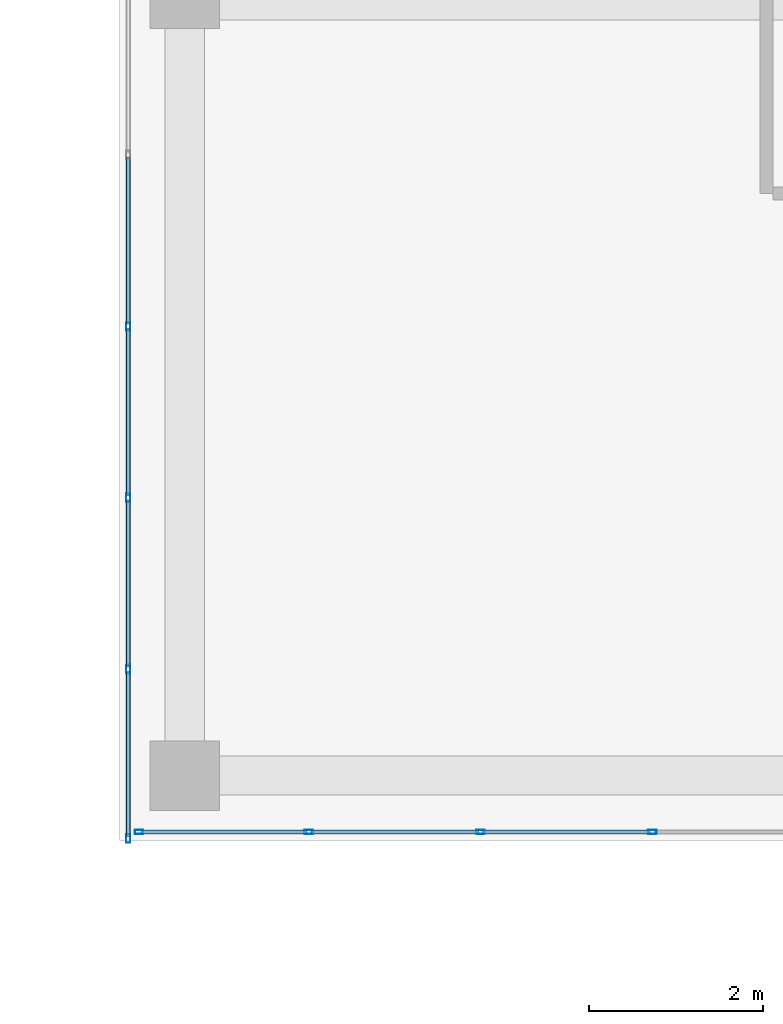
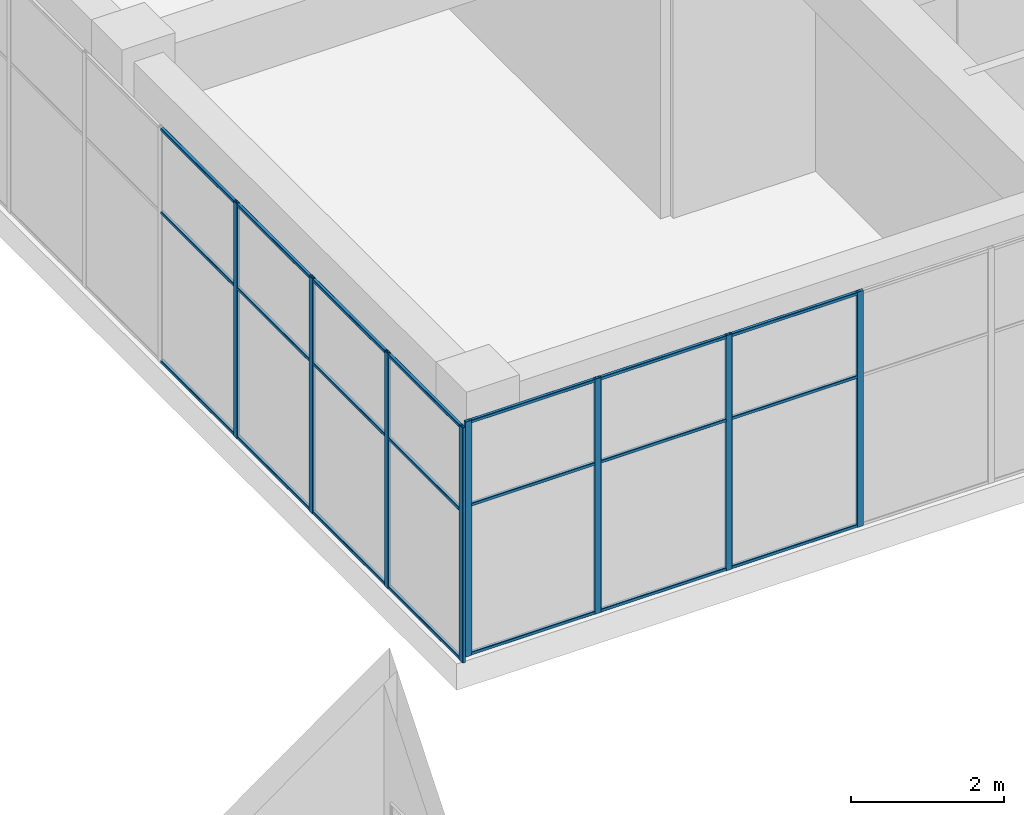
# One storey, part 32 of 81: 29 members, 2 elements without a shape of their own.
"""IFC4 building model written with IfcOpenShell, lengths in metres."""

import ifcopenshell
import ifcopenshell.guid

model = None  # the IFC model being written
_history = None  # IfcOwnerHistory: only IFC2X3 demands one
_inside = {}  # id of a spatial element -> (the spatial element, [elements in it])
_under = {}  # id of a project, library or spatial element -> (it, [spatial elements below it])
_declared = {}  # id of a project -> (the project, [libraries it declares])
_typed = {}  # id of a type object -> (the type object, [elements of that type])
_made_of = {}  # id of a material, layer set ... -> (it, [elements and type objects made of it])


def new_model(schema):
    """Start an empty IFC model of exactly this schema.

    Asked for "IFC4X3", IfcOpenShell would pick the latest addendum, in which some entities
    have other attributes; the version numbers below select the first issue.
    IFC2X3 requires an IfcOwnerHistory on every rooted entity: one is made here for all.
    """
    global model, _history
    if schema == "IFC4X3":
        model = ifcopenshell.file(schema_version=(4, 3, 0, 0))
    else:
        model = ifcopenshell.file(schema=schema)
    _inside.clear()
    _under.clear()
    _declared.clear()
    _typed.clear()
    _made_of.clear()
    _history = None
    if model.schema == "IFC2X3":
        org = make("IfcOrganization", Name="unknown")
        user = make(
            "IfcPersonAndOrganization",
            ThePerson=make("IfcPerson", FamilyName="unknown"),
            TheOrganization=org,
        )
        app = make(
            "IfcApplication",
            ApplicationDeveloper=org,
            Version="unknown",
            ApplicationFullName="unknown",
            ApplicationIdentifier="unknown",
        )
        _history = make(
            "IfcOwnerHistory",
            OwningUser=user,
            OwningApplication=app,
            ChangeAction="ADDED",
            CreationDate=0,
        )
    return model


def make(cls, **values):
    """One entity of the class cls with the attributes given. An attribute that is None is left unset."""
    return model.create_entity(
        cls, **{name: value for name, value in values.items() if value is not None}
    )


def rooted(cls, **values):
    """An entity with a GlobalId (a new one), such as an element, a storey or a relation."""
    return make(cls, GlobalId=ifcopenshell.guid.new(), OwnerHistory=_history, **values)


def si_unit(unit_type, name, prefix=None):
    """IfcSIUnit, for example si_unit("LENGTHUNIT", "METRE", prefix="MILLI")."""
    return make("IfcSIUnit", UnitType=unit_type, Prefix=prefix, Name=name)


def assignment(units):
    """IfcUnitAssignment: the units of a project."""
    return None if units is None else make("IfcUnitAssignment", Units=units)


def point(xyz):
    """IfcCartesianPoint."""
    return None if xyz is None else make("IfcCartesianPoint", Coordinates=xyz)


def direction(xyz):
    """IfcDirection."""
    return None if xyz is None else make("IfcDirection", DirectionRatios=xyz)


def frame(location, z_axis=None, x_axis=None):
    """IfcAxis2Placement3D, a coordinate frame: its origin and axes. An axis left out is left unset."""
    return make(
        "IfcAxis2Placement3D",
        Location=point(location),
        Axis=direction(z_axis),
        RefDirection=direction(x_axis),
    )


def frame_2d(location, x_axis=None):
    """IfcAxis2Placement2D, a coordinate frame in the plane: its origin and x axis."""
    return make(
        "IfcAxis2Placement2D", Location=point(location), RefDirection=direction(x_axis)
    )


def origin():
    """The frame at (0, 0, 0) with its axes left unset."""
    return frame((0.0, 0.0, 0.0))


def origin_2d():
    """The frame at (0, 0) in the plane with its x axis left unset."""
    return frame_2d((0.0, 0.0))


def place(relative_to, where):
    """IfcLocalPlacement: puts the frame where relative to a parent placement (None: the world)."""
    return make(
        "IfcLocalPlacement", PlacementRelTo=relative_to, RelativePlacement=where
    )


def context(
    kind, dimensions, precision=None, world=None, true_north=None, identifier=None
):
    """IfcGeometricRepresentationContext, for example the 3D "Model" context."""
    return make(
        "IfcGeometricRepresentationContext",
        ContextIdentifier=identifier,
        ContextType=kind,
        CoordinateSpaceDimension=dimensions,
        Precision=precision,
        WorldCoordinateSystem=world,
        TrueNorth=true_north,
    )


def subcontext(parent, identifier, kind, view, scale=None):
    """IfcGeometricRepresentationSubContext, for example "Body" below "Model"."""
    return make(
        "IfcGeometricRepresentationSubContext",
        ContextIdentifier=identifier,
        ContextType=kind,
        ParentContext=parent,
        TargetScale=scale,
        TargetView=view,
    )


def project(units=None, contexts=None):
    """IfcProject with its units and contexts."""
    return rooted(
        "IfcProject",
        Name="project",
        RepresentationContexts=contexts,
        UnitsInContext=assignment(units),
    )


def spatial(cls, under=None, at=None, **own):
    """A site, building, storey or space (cls), placed at a placement, below another one or the project."""
    s = rooted(cls, ObjectPlacement=at, **own)
    if under is not None:
        _under.setdefault(under.id(), (under, []))[1].append(s)
    return s


def profile(cls, at=None, kind="AREA", **sizes):
    """A parametric profile (cls). Its sizes go by their IFC names, for example OverallWidth=200.0."""
    return make(cls, ProfileType=kind, Position=at, **sizes)


def hollow_rectangle(**sizes):
    """IfcRectangleHollowProfileDef."""
    return profile("IfcRectangleHollowProfileDef", **sizes)


def extrude(swept, where, along, depth):
    """IfcExtrudedAreaSolid: the profile swept, set in the frame where, extruded along a direction by depth."""
    return make(
        "IfcExtrudedAreaSolid",
        SweptArea=swept,
        Position=where,
        ExtrudedDirection=direction(along),
        Depth=depth,
    )


def shape(context_of_items, identifier, shape_type, items):
    """IfcShapeRepresentation: the items that make up one representation, for example the "Body"."""
    return make(
        "IfcShapeRepresentation",
        ContextOfItems=context_of_items,
        RepresentationIdentifier=identifier,
        RepresentationType=shape_type,
        Items=items,
    )


def material(Name=None, Category=None):
    """IfcMaterial."""
    return make("IfcMaterial", Name=Name, Category=Category)


def layer(
    of_material, thickness, ventilated=None, Name=None, Category=None, Priority=None
):
    """IfcMaterialLayer: one layer of a wall or slab, of a material (None: an air gap)."""
    return make(
        "IfcMaterialLayer",
        Material=of_material,
        LayerThickness=thickness,
        IsVentilated=ventilated,
        Name=Name,
        Category=Category,
        Priority=Priority,
    )


def layer_set(layers, Name=None):
    """IfcMaterialLayerSet."""
    return make("IfcMaterialLayerSet", MaterialLayers=layers, LayerSetName=Name)


def material_profile(
    of_material, cross_section, Name=None, Category=None, Priority=None
):
    """IfcMaterialProfile: a cross section and its material."""
    return make(
        "IfcMaterialProfile",
        Name=Name,
        Material=of_material,
        Profile=cross_section,
        Priority=Priority,
        Category=Category,
    )


def profile_set(profiles, Name=None, composite=None):
    """IfcMaterialProfileSet."""
    return make(
        "IfcMaterialProfileSet",
        Name=Name,
        MaterialProfiles=profiles,
        CompositeProfile=composite,
    )


def made_of(thing, what):
    """Note that an element or type object is made of a material, layer set ...; save() writes the relation."""
    if what is not None:
        _made_of.setdefault(what.id(), (what, []))[1].append(thing)
    return thing


def type_object(cls, material=None, **own):
    """A type object (cls), such as IfcWallType, which elements share."""
    return made_of(rooted(cls, **own), material)


def element(
    cls,
    number,
    at=None,
    inside=None,
    cuts=None,
    type_object=None,
    material=None,
    context=None,
    identifier="Body",
    shape_type=None,
    held_by="IfcProductDefinitionShape",
    body=None,
    shapes=None,
    **own,
):
    """One element of the class cls, such as IfcWall. Its Tag is "e" and its number.

    at: its placement. inside: the storey or other place that contains it. cuts: it is an
    opening in that element (IfcRelVoidsElement). A single representation is given by context,
    identifier, shape_type and body (its items); several are given by shapes. held_by: the class
    of the entity that holds the representations. save() writes the other relations.
    """
    e = rooted(cls, Tag="e%d" % number, ObjectPlacement=at, **own)
    if body is not None:
        shapes = [shape(context, identifier, shape_type, body)]
    if shapes is not None:
        e.Representation = make(held_by, Representations=shapes)
    if inside is not None:
        _inside.setdefault(inside.id(), (inside, []))[1].append(e)
    if cuts is not None:
        rooted(
            "IfcRelVoidsElement", RelatingBuildingElement=cuts, RelatedOpeningElement=e
        )
    if type_object is not None:
        _typed.setdefault(type_object.id(), (type_object, []))[1].append(e)
    return made_of(e, material)


def aggregate(whole, parts):
    """IfcRelAggregates: a whole, such as a stair, and the parts it consists of."""
    return rooted("IfcRelAggregates", RelatingObject=whole, RelatedObjects=parts)


def save(model, path):
    """Write the relations noted so far, then the file.

    IfcRelAggregates (storeys below a building ...), IfcRelContainedInSpatialStructure (elements
    in a storey), IfcRelDefinesByType, IfcRelAssociatesMaterial and IfcRelDeclares: one each for
    every whole, place, type object, material and project.
    """
    for whole, parts in _under.values():
        aggregate(whole, parts)
    for where, things in _inside.values():
        rooted(
            "IfcRelContainedInSpatialStructure",
            RelatedElements=things,
            RelatingStructure=where,
        )
    for kind, things in _typed.values():
        rooted("IfcRelDefinesByType", RelatedObjects=things, RelatingType=kind)
    for what, things in _made_of.values():
        rooted("IfcRelAssociatesMaterial", RelatedObjects=things, RelatingMaterial=what)
    for by, libraries in _declared.values():
        rooted("IfcRelDeclares", RelatingContext=by, RelatedDefinitions=libraries)
    model.write(path)


model = new_model("IFC4")

# Units and contexts
model_context = context("Model", 3, precision=1e-05, world=origin(), true_north=direction((0.0, 1.0)))
body_context = subcontext(model_context, "Body", "Model", "MODEL_VIEW")
ifc_project = project(units=[si_unit("LENGTHUNIT", "METRE"), si_unit("AREAUNIT", "SQUARE_METRE"), si_unit("VOLUMEUNIT", "CUBIC_METRE"), si_unit("PLANEANGLEUNIT", "RADIAN"), si_unit("MASSUNIT", "GRAM", prefix="KILO")], contexts=[model_context])

# Site, building, storey
site_placement = place(None, origin())
site = spatial("IfcSite", under=ifc_project, at=site_placement, CompositionType="ELEMENT")
building_placement = place(site_placement, origin())
building = spatial("IfcBuilding", under=site, at=building_placement, Name="Tuart Plaza Theatre", CompositionType="ELEMENT")
storey_placement = place(building_placement, frame((0.0, 0.0, 17.5)))
storey = spatial("IfcBuildingStorey", under=building, at=storey_placement, Name="L04", CompositionType="ELEMENT", Elevation=17.5)

# Curtain wall, members
ifc_material_1 = material(Name="Aluminium and glass", Category="aluminium")
ifc_layer = layer(ifc_material_1, 0.10009765625)
ifc_layer_set = layer_set([ifc_layer], Name="CURTAIN WALL 2000 module")
curtain_wall_type = type_object("IfcCurtainWallType", Name="CURTAIN WALL 2000 module", PredefinedType="NOTDEFINED", material=ifc_layer_set)
curtain_wall_1_placement = place(storey_placement, origin())
curtain_wall_1 = element("IfcCurtainWall", 1, at=curtain_wall_1_placement, inside=storey, type_object=curtain_wall_type, Name="CW86", PredefinedType="NOTDEFINED")
ifc_material_2 = material(Name="Aluminium 6063-T5", Category="aluminium")
ifc_material_profile_1 = material_profile(ifc_material_2, hollow_rectangle(XDim=0.050048828125, YDim=0.10009765625, WallThickness=0.00390625, InnerFilletRadius=0.00390625, OuterFilletRadius=0.008056640625, at=origin_2d()), Name="RHS 100x50x4")
ifc_profile_set_1 = profile_set([ifc_material_profile_1], Name="Aluminium 6063-T5")
member_type_1 = type_object("IfcMemberType", Name="MULLION RHS 100x50x4", PredefinedType="MULLION", material=ifc_profile_set_1)
member_1_placement = place(storey_placement, frame((113.35009765625, 61.171142578125, 0.0), z_axis=(0.0, 0.0, 1.0), x_axis=(1.0, 0.0, 0.0)))
member_1 = element("IfcMember", 2, at=member_1_placement, type_object=member_type_1, Name="CW86 mullion 17", PredefinedType="MULLION", context=body_context, shape_type="SweptSolid", body=[
    extrude(hollow_rectangle(XDim=0.050048828125, YDim=0.10009765625, WallThickness=0.00390625, InnerFilletRadius=0.00390625, OuterFilletRadius=0.008056640625, at=origin_2d()), origin(), (0.0, 0.0, 1.0), 3.75),
])
member_2_placement = place(storey_placement, frame((113.35009765625, 59.197265625, 0.0), z_axis=(0.0, 0.0, 1.0), x_axis=(1.0, 0.0, 0.0)))
member_2 = element("IfcMember", 3, at=member_2_placement, type_object=member_type_1, Name="CW86 mullion 18", PredefinedType="MULLION", context=body_context, shape_type="SweptSolid", body=[
    extrude(hollow_rectangle(XDim=0.050048828125, YDim=0.10009765625, WallThickness=0.00390625, InnerFilletRadius=0.00390625, OuterFilletRadius=0.008056640625, at=origin_2d()), origin(), (0.0, 0.0, 1.0), 3.75),
])
member_3_placement = place(storey_placement, frame((113.35009765625, 57.2236328125, 0.0), z_axis=(0.0, 0.0, 1.0), x_axis=(1.0, 0.0, 0.0)))
member_3 = element("IfcMember", 4, at=member_3_placement, type_object=member_type_1, Name="CW86 mullion 19", PredefinedType="MULLION", context=body_context, shape_type="SweptSolid", body=[
    extrude(hollow_rectangle(XDim=0.050048828125, YDim=0.10009765625, WallThickness=0.00390625, InnerFilletRadius=0.00390625, OuterFilletRadius=0.008056640625, at=origin_2d()), origin(), (0.0, 0.0, 1.0), 3.75),
])
member_4_placement = place(storey_placement, frame((113.35009765625, 55.27490234375, 0.0), z_axis=(0.0, 0.0, 1.0), x_axis=(1.0, 0.0, 0.0)))
member_4 = element("IfcMember", 5, at=member_4_placement, type_object=member_type_1, Name="CW86 mullion 20", PredefinedType="MULLION", context=body_context, shape_type="SweptSolid", body=[
    extrude(hollow_rectangle(XDim=0.050048828125, YDim=0.10009765625, WallThickness=0.00390625, InnerFilletRadius=0.00390625, OuterFilletRadius=0.008056640625, at=origin_2d()), origin(), (0.0, 0.0, 1.0), 3.75),
])

curtain_wall_2_placement = place(storey_placement, origin())
curtain_wall_2 = element("IfcCurtainWall", 6, at=curtain_wall_2_placement, inside=storey, type_object=curtain_wall_type, Name="CW87", PredefinedType="NOTDEFINED")
member_5_placement = place(storey_placement, frame((113.47509765625, 55.35009765625, 0.0), z_axis=(0.0, 0.0, 1.0), x_axis=(0.0, 1.0, 0.0)))
member_5 = element("IfcMember", 7, at=member_5_placement, type_object=member_type_1, Name="CW87 mullion 1", PredefinedType="MULLION", context=body_context, shape_type="SweptSolid", body=[
    extrude(hollow_rectangle(XDim=0.050048828125, YDim=0.10009765625, WallThickness=0.00390625, InnerFilletRadius=0.00390625, OuterFilletRadius=0.008056640625, at=origin_2d()), origin(), (0.0, 0.0, 1.0), 3.75),
])
member_6_placement = place(storey_placement, frame((115.427734375, 55.35009765625, 0.0), z_axis=(0.0, 0.0, 1.0), x_axis=(0.0, 1.0, 0.0)))
member_6 = element("IfcMember", 8, at=member_6_placement, type_object=member_type_1, Name="CW87 mullion 2", PredefinedType="MULLION", context=body_context, shape_type="SweptSolid", body=[
    extrude(hollow_rectangle(XDim=0.050048828125, YDim=0.10009765625, WallThickness=0.00390625, InnerFilletRadius=0.00390625, OuterFilletRadius=0.008056640625, at=origin_2d()), origin(), (0.0, 0.0, 1.0), 3.75),
])
member_7_placement = place(storey_placement, frame((117.405517578125, 55.35009765625, 0.0), z_axis=(0.0, 0.0, 1.0), x_axis=(0.0, 1.0, 0.0)))
member_7 = element("IfcMember", 9, at=member_7_placement, type_object=member_type_1, Name="CW87 mullion 3", PredefinedType="MULLION", context=body_context, shape_type="SweptSolid", body=[
    extrude(hollow_rectangle(XDim=0.050048828125, YDim=0.10009765625, WallThickness=0.00390625, InnerFilletRadius=0.00390625, OuterFilletRadius=0.008056640625, at=origin_2d()), origin(), (0.0, 0.0, 1.0), 3.75),
])
member_8_placement = place(storey_placement, frame((119.38330078125, 55.35009765625, 0.0), z_axis=(0.0, 0.0, 1.0), x_axis=(0.0, 1.0, 0.0)))
member_8 = element("IfcMember", 10, at=member_8_placement, type_object=member_type_1, Name="CW87 mullion 4", PredefinedType="MULLION", context=body_context, shape_type="SweptSolid", body=[
    extrude(hollow_rectangle(XDim=0.050048828125, YDim=0.10009765625, WallThickness=0.00390625, InnerFilletRadius=0.00390625, OuterFilletRadius=0.008056640625, at=origin_2d()), origin(), (0.0, 0.0, 1.0), 3.75),
])

# Member
ifc_material_3 = material(Name="Aluminium 6063-T5", Category="aluminium")
ifc_material_profile_2 = material_profile(ifc_material_3, hollow_rectangle(XDim=0.050048828125, YDim=0.050048828125, WallThickness=0.00390625, InnerFilletRadius=0.00390625, OuterFilletRadius=0.008056640625, at=origin_2d()), Name="RHS 50x50x4")
ifc_profile_set_2 = profile_set([ifc_material_profile_2], Name="Aluminium 6063-T5")
member_type_2 = type_object("IfcMemberType", Name="TRANSOM RHS 50x50x4", PredefinedType="USERDEFINED", material=ifc_profile_set_2)
member_9_placement = place(storey_placement, frame((113.35009765625, 63.11962890625, 0.02490234375), z_axis=(0.0, -1.0, 0.0), x_axis=(1.0, 0.0, 0.0)))
member_9 = element("IfcMember", 11, at=member_9_placement, type_object=member_type_2, Name="CW86 transom 16.1", ObjectType="TRANSOM", PredefinedType="USERDEFINED", context=body_context, shape_type="SweptSolid", body=[
    extrude(hollow_rectangle(XDim=0.050048828125, YDim=0.050048828125, WallThickness=0.00390625, InnerFilletRadius=0.00390625, OuterFilletRadius=0.008056640625, at=origin_2d()), origin(), (0.0, 0.0, 1.0), 1.923583984375),
])

member_10_placement = place(storey_placement, frame((113.35009765625, 63.11962890625, 2.39990234375), z_axis=(0.0, -1.0, 0.0), x_axis=(1.0, 0.0, 0.0)))
member_10 = element("IfcMember", 12, at=member_10_placement, type_object=member_type_2, Name="CW86 transom 16.2", ObjectType="TRANSOM", PredefinedType="USERDEFINED", context=body_context, shape_type="SweptSolid", body=[
    extrude(hollow_rectangle(XDim=0.050048828125, YDim=0.050048828125, WallThickness=0.00390625, InnerFilletRadius=0.00390625, OuterFilletRadius=0.008056640625, at=origin_2d()), origin(), (0.0, 0.0, 1.0), 1.923583984375),
])

member_11_placement = place(storey_placement, frame((113.35009765625, 63.11962890625, 3.72509765625), z_axis=(0.0, -1.0, 0.0), x_axis=(1.0, 0.0, 0.0)))
member_11 = element("IfcMember", 13, at=member_11_placement, type_object=member_type_2, Name="CW86 transom 16.3", ObjectType="TRANSOM", PredefinedType="USERDEFINED", context=body_context, shape_type="SweptSolid", body=[
    extrude(hollow_rectangle(XDim=0.050048828125, YDim=0.050048828125, WallThickness=0.00390625, InnerFilletRadius=0.00390625, OuterFilletRadius=0.008056640625, at=origin_2d()), origin(), (0.0, 0.0, 1.0), 1.923583984375),
])

member_12_placement = place(storey_placement, frame((113.35009765625, 61.14599609375, 0.02490234375), z_axis=(0.0, -1.0, 0.0), x_axis=(1.0, 0.0, 0.0)))
member_12 = element("IfcMember", 14, at=member_12_placement, type_object=member_type_2, Name="CW86 transom 17.1", ObjectType="TRANSOM", PredefinedType="USERDEFINED", context=body_context, shape_type="SweptSolid", body=[
    extrude(hollow_rectangle(XDim=0.050048828125, YDim=0.050048828125, WallThickness=0.00390625, InnerFilletRadius=0.00390625, OuterFilletRadius=0.008056640625, at=origin_2d()), origin(), (0.0, 0.0, 1.0), 1.923583984375),
])

member_13_placement = place(storey_placement, frame((113.35009765625, 61.14599609375, 2.39990234375), z_axis=(0.0, -1.0, 0.0), x_axis=(1.0, 0.0, 0.0)))
member_13 = element("IfcMember", 15, at=member_13_placement, type_object=member_type_2, Name="CW86 transom 17.2", ObjectType="TRANSOM", PredefinedType="USERDEFINED", context=body_context, shape_type="SweptSolid", body=[
    extrude(hollow_rectangle(XDim=0.050048828125, YDim=0.050048828125, WallThickness=0.00390625, InnerFilletRadius=0.00390625, OuterFilletRadius=0.008056640625, at=origin_2d()), origin(), (0.0, 0.0, 1.0), 1.923583984375),
])

member_14_placement = place(storey_placement, frame((113.35009765625, 61.14599609375, 3.72509765625), z_axis=(0.0, -1.0, 0.0), x_axis=(1.0, 0.0, 0.0)))
member_14 = element("IfcMember", 16, at=member_14_placement, type_object=member_type_2, Name="CW86 transom 17.3", ObjectType="TRANSOM", PredefinedType="USERDEFINED", context=body_context, shape_type="SweptSolid", body=[
    extrude(hollow_rectangle(XDim=0.050048828125, YDim=0.050048828125, WallThickness=0.00390625, InnerFilletRadius=0.00390625, OuterFilletRadius=0.008056640625, at=origin_2d()), origin(), (0.0, 0.0, 1.0), 1.923583984375),
])

member_15_placement = place(storey_placement, frame((113.35009765625, 59.17236328125, 0.02490234375), z_axis=(0.0, -1.0, 0.0), x_axis=(1.0, 0.0, 0.0)))
member_15 = element("IfcMember", 17, at=member_15_placement, type_object=member_type_2, Name="CW86 transom 18.1", ObjectType="TRANSOM", PredefinedType="USERDEFINED", context=body_context, shape_type="SweptSolid", body=[
    extrude(hollow_rectangle(XDim=0.050048828125, YDim=0.050048828125, WallThickness=0.00390625, InnerFilletRadius=0.00390625, OuterFilletRadius=0.008056640625, at=origin_2d()), origin(), (0.0, 0.0, 1.0), 1.923583984375),
])

member_16_placement = place(storey_placement, frame((113.35009765625, 59.17236328125, 2.39990234375), z_axis=(0.0, -1.0, 0.0), x_axis=(1.0, 0.0, 0.0)))
member_16 = element("IfcMember", 18, at=member_16_placement, type_object=member_type_2, Name="CW86 transom 18.2", ObjectType="TRANSOM", PredefinedType="USERDEFINED", context=body_context, shape_type="SweptSolid", body=[
    extrude(hollow_rectangle(XDim=0.050048828125, YDim=0.050048828125, WallThickness=0.00390625, InnerFilletRadius=0.00390625, OuterFilletRadius=0.008056640625, at=origin_2d()), origin(), (0.0, 0.0, 1.0), 1.923583984375),
])

member_17_placement = place(storey_placement, frame((113.35009765625, 59.17236328125, 3.72509765625), z_axis=(0.0, -1.0, 0.0), x_axis=(1.0, 0.0, 0.0)))
member_17 = element("IfcMember", 19, at=member_17_placement, type_object=member_type_2, Name="CW86 transom 18.3", ObjectType="TRANSOM", PredefinedType="USERDEFINED", context=body_context, shape_type="SweptSolid", body=[
    extrude(hollow_rectangle(XDim=0.050048828125, YDim=0.050048828125, WallThickness=0.00390625, InnerFilletRadius=0.00390625, OuterFilletRadius=0.008056640625, at=origin_2d()), origin(), (0.0, 0.0, 1.0), 1.923583984375),
])

member_18_placement = place(storey_placement, frame((113.35009765625, 57.19873046875, 0.02490234375), z_axis=(0.0, -1.0, 0.0), x_axis=(1.0, 0.0, 0.0)))
member_18 = element("IfcMember", 20, at=member_18_placement, type_object=member_type_2, Name="CW86 transom 19.1", ObjectType="TRANSOM", PredefinedType="USERDEFINED", context=body_context, shape_type="SweptSolid", body=[
    extrude(hollow_rectangle(XDim=0.050048828125, YDim=0.050048828125, WallThickness=0.00390625, InnerFilletRadius=0.00390625, OuterFilletRadius=0.008056640625, at=origin_2d()), origin(), (0.0, 0.0, 1.0), 1.898681640625),
])

member_19_placement = place(storey_placement, frame((113.35009765625, 57.19873046875, 2.39990234375), z_axis=(0.0, -1.0, 0.0), x_axis=(1.0, 0.0, 0.0)))
member_19 = element("IfcMember", 21, at=member_19_placement, type_object=member_type_2, Name="CW86 transom 19.2", ObjectType="TRANSOM", PredefinedType="USERDEFINED", context=body_context, shape_type="SweptSolid", body=[
    extrude(hollow_rectangle(XDim=0.050048828125, YDim=0.050048828125, WallThickness=0.00390625, InnerFilletRadius=0.00390625, OuterFilletRadius=0.008056640625, at=origin_2d()), origin(), (0.0, 0.0, 1.0), 1.898681640625),
])

member_20_placement = place(storey_placement, frame((113.35009765625, 57.19873046875, 3.72509765625), z_axis=(0.0, -1.0, 0.0), x_axis=(1.0, 0.0, 0.0)))
member_20 = element("IfcMember", 22, at=member_20_placement, type_object=member_type_2, Name="CW86 transom 19.3", ObjectType="TRANSOM", PredefinedType="USERDEFINED", context=body_context, shape_type="SweptSolid", body=[
    extrude(hollow_rectangle(XDim=0.050048828125, YDim=0.050048828125, WallThickness=0.00390625, InnerFilletRadius=0.00390625, OuterFilletRadius=0.008056640625, at=origin_2d()), origin(), (0.0, 0.0, 1.0), 1.898681640625),
])

aggregate(curtain_wall_1, [member_1, member_2, member_3, member_4, member_9, member_10, member_11, member_12, member_13, member_14, member_15, member_16, member_17, member_18, member_19, member_20])

member_21_placement = place(storey_placement, frame((113.5, 55.35009765625, 0.02490234375), z_axis=(1.0, 0.0, 0.0), x_axis=(0.0, 1.0, 0.0)))
member_21 = element("IfcMember", 23, at=member_21_placement, type_object=member_type_2, Name="CW87 transom 1.1", ObjectType="TRANSOM", PredefinedType="USERDEFINED", context=body_context, shape_type="SweptSolid", body=[
    extrude(hollow_rectangle(XDim=0.050048828125, YDim=0.050048828125, WallThickness=0.00390625, InnerFilletRadius=0.00390625, OuterFilletRadius=0.008056640625, at=origin_2d()), origin(), (0.0, 0.0, 1.0), 1.90283203125),
])

member_22_placement = place(storey_placement, frame((113.5, 55.35009765625, 2.39990234375), z_axis=(1.0, 0.0, 0.0), x_axis=(0.0, 1.0, 0.0)))
member_22 = element("IfcMember", 24, at=member_22_placement, type_object=member_type_2, Name="CW87 transom 1.2", ObjectType="TRANSOM", PredefinedType="USERDEFINED", context=body_context, shape_type="SweptSolid", body=[
    extrude(hollow_rectangle(XDim=0.050048828125, YDim=0.050048828125, WallThickness=0.00390625, InnerFilletRadius=0.00390625, OuterFilletRadius=0.008056640625, at=origin_2d()), origin(), (0.0, 0.0, 1.0), 1.90283203125),
])

member_23_placement = place(storey_placement, frame((113.5, 55.35009765625, 3.72509765625), z_axis=(1.0, 0.0, 0.0), x_axis=(0.0, 1.0, 0.0)))
member_23 = element("IfcMember", 25, at=member_23_placement, type_object=member_type_2, Name="CW87 transom 1.3", ObjectType="TRANSOM", PredefinedType="USERDEFINED", context=body_context, shape_type="SweptSolid", body=[
    extrude(hollow_rectangle(XDim=0.050048828125, YDim=0.050048828125, WallThickness=0.00390625, InnerFilletRadius=0.00390625, OuterFilletRadius=0.008056640625, at=origin_2d()), origin(), (0.0, 0.0, 1.0), 1.90283203125),
])

member_24_placement = place(storey_placement, frame((115.452880859375, 55.35009765625, 0.02490234375), z_axis=(1.0, 0.0, 0.0), x_axis=(0.0, 1.0, 0.0)))
member_24 = element("IfcMember", 26, at=member_24_placement, type_object=member_type_2, Name="CW87 transom 2.1", ObjectType="TRANSOM", PredefinedType="USERDEFINED", context=body_context, shape_type="SweptSolid", body=[
    extrude(hollow_rectangle(XDim=0.050048828125, YDim=0.050048828125, WallThickness=0.00390625, InnerFilletRadius=0.00390625, OuterFilletRadius=0.008056640625, at=origin_2d()), origin(), (0.0, 0.0, 1.0), 1.927734375),
])

member_25_placement = place(storey_placement, frame((115.452880859375, 55.35009765625, 2.39990234375), z_axis=(1.0, 0.0, 0.0), x_axis=(0.0, 1.0, 0.0)))
member_25 = element("IfcMember", 27, at=member_25_placement, type_object=member_type_2, Name="CW87 transom 2.2", ObjectType="TRANSOM", PredefinedType="USERDEFINED", context=body_context, shape_type="SweptSolid", body=[
    extrude(hollow_rectangle(XDim=0.050048828125, YDim=0.050048828125, WallThickness=0.00390625, InnerFilletRadius=0.00390625, OuterFilletRadius=0.008056640625, at=origin_2d()), origin(), (0.0, 0.0, 1.0), 1.927734375),
])

member_26_placement = place(storey_placement, frame((115.452880859375, 55.35009765625, 3.72509765625), z_axis=(1.0, 0.0, 0.0), x_axis=(0.0, 1.0, 0.0)))
member_26 = element("IfcMember", 28, at=member_26_placement, type_object=member_type_2, Name="CW87 transom 2.3", ObjectType="TRANSOM", PredefinedType="USERDEFINED", context=body_context, shape_type="SweptSolid", body=[
    extrude(hollow_rectangle(XDim=0.050048828125, YDim=0.050048828125, WallThickness=0.00390625, InnerFilletRadius=0.00390625, OuterFilletRadius=0.008056640625, at=origin_2d()), origin(), (0.0, 0.0, 1.0), 1.927734375),
])

member_27_placement = place(storey_placement, frame((117.4306640625, 55.35009765625, 0.02490234375), z_axis=(1.0, 0.0, 0.0), x_axis=(0.0, 1.0, 0.0)))
member_27 = element("IfcMember", 29, at=member_27_placement, type_object=member_type_2, Name="CW87 transom 3.1", ObjectType="TRANSOM", PredefinedType="USERDEFINED", context=body_context, shape_type="SweptSolid", body=[
    extrude(hollow_rectangle(XDim=0.050048828125, YDim=0.050048828125, WallThickness=0.00390625, InnerFilletRadius=0.00390625, OuterFilletRadius=0.008056640625, at=origin_2d()), origin(), (0.0, 0.0, 1.0), 1.927734375),
])

member_28_placement = place(storey_placement, frame((117.4306640625, 55.35009765625, 2.39990234375), z_axis=(1.0, 0.0, 0.0), x_axis=(0.0, 1.0, 0.0)))
member_28 = element("IfcMember", 30, at=member_28_placement, type_object=member_type_2, Name="CW87 transom 3.2", ObjectType="TRANSOM", PredefinedType="USERDEFINED", context=body_context, shape_type="SweptSolid", body=[
    extrude(hollow_rectangle(XDim=0.050048828125, YDim=0.050048828125, WallThickness=0.00390625, InnerFilletRadius=0.00390625, OuterFilletRadius=0.008056640625, at=origin_2d()), origin(), (0.0, 0.0, 1.0), 1.927734375),
])

member_29_placement = place(storey_placement, frame((117.4306640625, 55.35009765625, 3.72509765625), z_axis=(1.0, 0.0, 0.0), x_axis=(0.0, 1.0, 0.0)))
member_29 = element("IfcMember", 31, at=member_29_placement, type_object=member_type_2, Name="CW87 transom 3.3", ObjectType="TRANSOM", PredefinedType="USERDEFINED", context=body_context, shape_type="SweptSolid", body=[
    extrude(hollow_rectangle(XDim=0.050048828125, YDim=0.050048828125, WallThickness=0.00390625, InnerFilletRadius=0.00390625, OuterFilletRadius=0.008056640625, at=origin_2d()), origin(), (0.0, 0.0, 1.0), 1.927734375),
])

aggregate(curtain_wall_2, [member_5, member_6, member_7, member_8, member_21, member_22, member_23, member_24, member_25, member_26, member_27, member_28, member_29])

save(model, "model.ifc")
